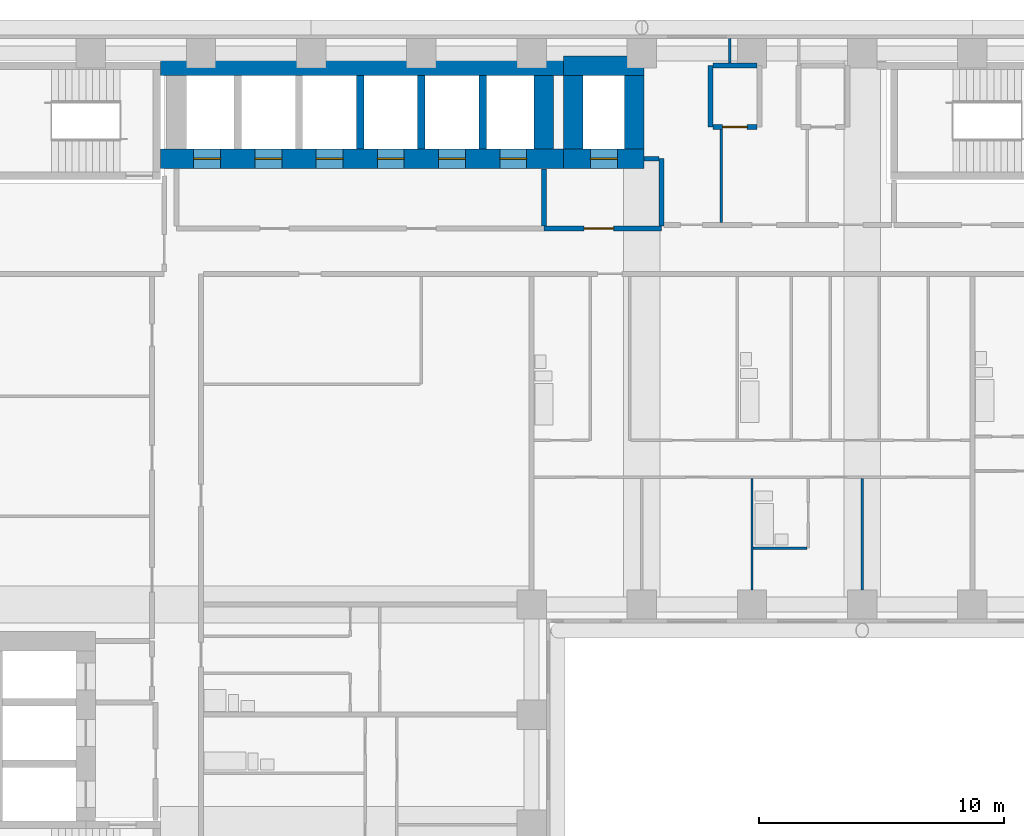
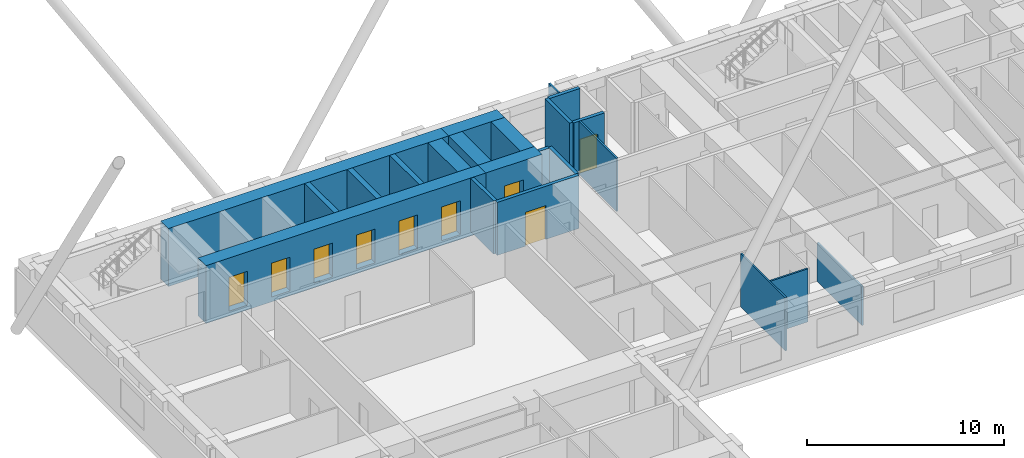
# One storey, part 6 of 13: 22 walls, 9 doors, 9 openings.
"""IFC4 building model written with IfcOpenShell, lengths in metres."""

from ifc_helpers import new_model, si_unit, direction, frame, frame_2d, origin, place, context, subcontext, project, spatial, rectangle, extrude, material, layer, layer_set, type_object, element, fill, save


model = new_model("IFC4")

# Units and contexts
model_context = context("Model", 3, precision=1e-05, world=origin(), true_north=direction((0.0, 1.0)))
body_context = subcontext(model_context, "Body", "Model", "MODEL_VIEW")
ifc_project = project(units=[si_unit("LENGTHUNIT", "METRE"), si_unit("AREAUNIT", "SQUARE_METRE"), si_unit("VOLUMEUNIT", "CUBIC_METRE"), si_unit("PLANEANGLEUNIT", "RADIAN"), si_unit("MASSUNIT", "GRAM", prefix="KILO")], contexts=[model_context])

# Site, building, storey
site_placement = place(None, origin())
site = spatial("IfcSite", under=ifc_project, at=site_placement, CompositionType="ELEMENT")
building_placement = place(site_placement, origin())
building = spatial("IfcBuilding", under=site, at=building_placement, Name="Firuza Court", CompositionType="ELEMENT")
storey_placement = place(building_placement, frame((0.0, 0.0, 50.60009765625)))
storey = spatial("IfcBuildingStorey", under=building, at=storey_placement, Name="L11", CompositionType="ELEMENT", Elevation=50.60009765625)

# Walls
ifc_material_1 = material(Name="Moisture-resistant gypsum board partition")
ifc_layer_1 = layer(ifc_material_1, 0.10009765625)
ifc_layer_set_1 = layer_set([ifc_layer_1], Name="Moisture-resistant gypsum board partition")
wall_type_1 = type_object("IfcWallType", Name="Bathroom partition 100", PredefinedType="PLUMBINGWALL", material=ifc_layer_set_1)
wall_1_placement = place(storey_placement, frame((31.550048828125, 38.300048828125, 0.0), z_axis=(0.0, 0.0, 1.0), x_axis=(1.0, 0.0, 0.0)))
element("IfcWall", 1, at=wall_1_placement, inside=storey, type_object=wall_type_1, Name="Bathroom partition 100 L11", PredefinedType="PLUMBINGWALL", context=body_context, shape_type="SweptSolid", body=[
    extrude(rectangle(XDim=2.199951171875, YDim=0.10009765625, at=frame_2d((1.10009765625, 0.0))), origin(), (0.0, 0.0, 1.0), 3.2998046875),
])
ifc_material_2 = material(Name="Concrete C60/75", Category="concrete")
ifc_layer_2 = layer(ifc_material_2, 0.300048828125)
ifc_layer_set_2 = layer_set([ifc_layer_2], Name="Concrete C60/75")
wall_type_2 = type_object("IfcWallType", Name="Core wall 300 C60/75", PredefinedType="SHEAR", material=ifc_layer_set_2)
for number, where, z_axis, x_axis, name in (
    (2, (15.5, 54.60009765625, -0.300048828125), (0.0, 0.0, 1.0), (0.0, 1.0, 0.0), "Core wall lift shaft L11"),
    (3, (18.0, 54.60009765625, -0.300048828125), (0.0, 0.0, 1.0), (0.0, 1.0, 0.0), "Core wall lift shaft L11"),
    (4, (20.5, 54.60009765625, -0.300048828125), (0.0, 0.0, 1.0), (0.0, 1.0, 0.0), "Core wall lift shaft L11"),
):
    element("IfcWall", number, at=place(storey_placement, frame(where, z_axis=z_axis, x_axis=x_axis)), inside=storey, type_object=wall_type_2, Name=name, PredefinedType="SHEAR", context=body_context, shape_type="SweptSolid", body=[
        extrude(rectangle(XDim=3.0, YDim=0.300048828125, at=frame_2d((1.5, 0.0))), origin(), (0.0, 0.0, 1.0), 3.599853515625),
    ])

# Wall, openings, doors
ifc_layer_3 = layer(ifc_material_2, 0.800048828125)
ifc_layer_set_3 = layer_set([ifc_layer_3], Name="Concrete C60/75")
wall_type_3 = type_object("IfcWallType", Name="Core wall 800 C60/75", PredefinedType="SHEAR", material=ifc_layer_set_3)
wall_2_placement = place(storey_placement, frame((7.35009765625, 54.199951171875, -0.300048828125), z_axis=(0.0, 0.0, 1.0), x_axis=(1.0, 0.0, 0.0)))
wall_2 = element("IfcWall", 5, at=wall_2_placement, inside=storey, type_object=wall_type_3, Name="Core wall lift shaft L11", PredefinedType="SHEAR", context=body_context, shape_type="SweptSolid", body=[
    extrude(rectangle(XDim=16.449951171875, YDim=0.800048828125, at=frame_2d((8.22509765625, 0.0))), origin(), (0.0, 0.0, 1.0), 3.599853515625),
])
opening_1_placement = place(wall_2_placement, frame((1.35009765625, 0.0, 0.300048828125)))
opening_1 = element("IfcOpeningElement", 6, at=opening_1_placement, cuts=wall_2, Name="Opening LD-LB1-11", PredefinedType="OPENING", context=body_context, shape_type="SweptSolid", body=[
    extrude(rectangle(XDim=1.10009765625, YDim=2.10009765625, at=frame_2d((0.550048828125, 1.050048828125))), frame((0.0, 0.412109375, 0.0), z_axis=(0.0, -1.0, 0.0), x_axis=(1.0, 0.0, 0.0)), (0.0, 0.0, 1.0), 0.823974609375),
])
opening_2_placement = place(wall_2_placement, frame((3.85009765625, 0.0, 0.300048828125)))
opening_2 = element("IfcOpeningElement", 7, at=opening_2_placement, cuts=wall_2, Name="Opening LD-LB2-11", PredefinedType="OPENING", context=body_context, shape_type="SweptSolid", body=[
    extrude(rectangle(XDim=1.10009765625, YDim=2.10009765625, at=frame_2d((0.550048828125, 1.050048828125))), frame((0.0, 0.412109375, 0.0), z_axis=(0.0, -1.0, 0.0), x_axis=(1.0, 0.0, 0.0)), (0.0, 0.0, 1.0), 0.823974609375),
])
opening_3_placement = place(wall_2_placement, frame((6.35009765625, 0.0, 0.300048828125)))
opening_3 = element("IfcOpeningElement", 8, at=opening_3_placement, cuts=wall_2, Name="Opening LD-LB3-11", PredefinedType="OPENING", context=body_context, shape_type="SweptSolid", body=[
    extrude(rectangle(XDim=1.10009765625, YDim=2.10009765625, at=frame_2d((0.550048828125, 1.050048828125))), frame((0.0, 0.412109375, 0.0), z_axis=(0.0, -1.0, 0.0), x_axis=(1.0, 0.0, 0.0)), (0.0, 0.0, 1.0), 0.823974609375),
])
opening_4_placement = place(wall_2_placement, frame((8.85009765625, 0.0, 0.300048828125)))
opening_4 = element("IfcOpeningElement", 9, at=opening_4_placement, cuts=wall_2, Name="Opening LD-LB4-11", PredefinedType="OPENING", context=body_context, shape_type="SweptSolid", body=[
    extrude(rectangle(XDim=1.10009765625, YDim=2.10009765625, at=frame_2d((0.550048828125, 1.050048828125))), frame((0.0, 0.412109375, 0.0), z_axis=(0.0, -1.0, 0.0), x_axis=(1.0, 0.0, 0.0)), (0.0, 0.0, 1.0), 0.823974609375),
])
opening_5_placement = place(wall_2_placement, frame((11.35009765625, 0.0, 0.300048828125)))
opening_5 = element("IfcOpeningElement", 10, at=opening_5_placement, cuts=wall_2, Name="Opening LD-LB5-11", PredefinedType="OPENING", context=body_context, shape_type="SweptSolid", body=[
    extrude(rectangle(XDim=1.10009765625, YDim=2.10009765625, at=frame_2d((0.550048828125, 1.050048828125))), frame((0.0, 0.412109375, 0.0), z_axis=(0.0, -1.0, 0.0), x_axis=(1.0, 0.0, 0.0)), (0.0, 0.0, 1.0), 0.823974609375),
])
opening_6_placement = place(wall_2_placement, frame((13.85009765625, 0.0, 0.300048828125)))
opening_6 = element("IfcOpeningElement", 11, at=opening_6_placement, cuts=wall_2, Name="Opening LD-LB6-11", PredefinedType="OPENING", context=body_context, shape_type="SweptSolid", body=[
    extrude(rectangle(XDim=1.10009765625, YDim=2.10009765625, at=frame_2d((0.550048828125, 1.050048828125))), frame((0.0, 0.412109375, 0.0), z_axis=(0.0, -1.0, 0.0), x_axis=(1.0, 0.0, 0.0)), (0.0, 0.0, 1.0), 0.823974609375),
])
ifc_material_3 = material(Name="Stainless steel 1.4301 door leaf", Category="steel")
door_type_1 = type_object("IfcDoorType", Name="Lift landing door 1100", OperationType="SLIDING_TO_LEFT", PredefinedType="DOOR", material=ifc_material_3)
door_1_placement = place(opening_1_placement, origin())
door_1 = element("IfcDoor", 12, at=door_1_placement, inside=storey, type_object=door_type_1, Name="Landing door LB1", OperationType="SLIDING_TO_LEFT", OverallHeight=2.10009765625, OverallWidth=1.10009765625, PredefinedType="DOOR", context=body_context, shape_type="SweptSolid", body=[
    extrude(rectangle(XDim=1.10009765625, YDim=2.10009765625, at=frame_2d((0.550048828125, 1.050048828125))), frame((0.0, 0.02490234375, 0.0), z_axis=(0.0, -1.0, 0.0), x_axis=(1.0, 0.0, 0.0)), (0.0, 0.0, 1.0), 0.050048828125),
])
fill(opening_1, door_1)
door_2_placement = place(opening_2_placement, origin())
door_2 = element("IfcDoor", 13, at=door_2_placement, inside=storey, type_object=door_type_1, Name="Landing door LB2", OperationType="SLIDING_TO_LEFT", OverallHeight=2.10009765625, OverallWidth=1.10009765625, PredefinedType="DOOR", context=body_context, shape_type="SweptSolid", body=[
    extrude(rectangle(XDim=1.10009765625, YDim=2.10009765625, at=frame_2d((0.550048828125, 1.050048828125))), frame((0.0, 0.02490234375, 0.0), z_axis=(0.0, -1.0, 0.0), x_axis=(1.0, 0.0, 0.0)), (0.0, 0.0, 1.0), 0.050048828125),
])
fill(opening_2, door_2)
door_3_placement = place(opening_3_placement, origin())
door_3 = element("IfcDoor", 14, at=door_3_placement, inside=storey, type_object=door_type_1, Name="Landing door LB3", OperationType="SLIDING_TO_LEFT", OverallHeight=2.10009765625, OverallWidth=1.10009765625, PredefinedType="DOOR", context=body_context, shape_type="SweptSolid", body=[
    extrude(rectangle(XDim=1.10009765625, YDim=2.10009765625, at=frame_2d((0.550048828125, 1.050048828125))), frame((0.0, 0.02490234375, 0.0), z_axis=(0.0, -1.0, 0.0), x_axis=(1.0, 0.0, 0.0)), (0.0, 0.0, 1.0), 0.050048828125),
])
fill(opening_3, door_3)
door_4_placement = place(opening_4_placement, origin())
door_4 = element("IfcDoor", 15, at=door_4_placement, inside=storey, type_object=door_type_1, Name="Landing door LB4", OperationType="SLIDING_TO_LEFT", OverallHeight=2.10009765625, OverallWidth=1.10009765625, PredefinedType="DOOR", context=body_context, shape_type="SweptSolid", body=[
    extrude(rectangle(XDim=1.10009765625, YDim=2.10009765625, at=frame_2d((0.550048828125, 1.050048828125))), frame((0.0, 0.02490234375, 0.0), z_axis=(0.0, -1.0, 0.0), x_axis=(1.0, 0.0, 0.0)), (0.0, 0.0, 1.0), 0.050048828125),
])
fill(opening_4, door_4)
door_5_placement = place(opening_5_placement, origin())
door_5 = element("IfcDoor", 16, at=door_5_placement, inside=storey, type_object=door_type_1, Name="Landing door LB5", OperationType="SLIDING_TO_LEFT", OverallHeight=2.10009765625, OverallWidth=1.10009765625, PredefinedType="DOOR", context=body_context, shape_type="SweptSolid", body=[
    extrude(rectangle(XDim=1.10009765625, YDim=2.10009765625, at=frame_2d((0.550048828125, 1.050048828125))), frame((0.0, 0.02490234375, 0.0), z_axis=(0.0, -1.0, 0.0), x_axis=(1.0, 0.0, 0.0)), (0.0, 0.0, 1.0), 0.050048828125),
])
fill(opening_5, door_5)
door_6_placement = place(opening_6_placement, origin())
door_6 = element("IfcDoor", 17, at=door_6_placement, inside=storey, type_object=door_type_1, Name="Landing door LB6", OperationType="SLIDING_TO_LEFT", OverallHeight=2.10009765625, OverallWidth=1.10009765625, PredefinedType="DOOR", context=body_context, shape_type="SweptSolid", body=[
    extrude(rectangle(XDim=1.10009765625, YDim=2.10009765625, at=frame_2d((0.550048828125, 1.050048828125))), frame((0.0, 0.02490234375, 0.0), z_axis=(0.0, -1.0, 0.0), x_axis=(1.0, 0.0, 0.0)), (0.0, 0.0, 1.0), 0.050048828125),
])
fill(opening_6, door_6)

# Walls
wall_3_placement = place(storey_placement, frame((7.35009765625, 58.0, -0.300048828125), z_axis=(0.0, 0.0, 1.0), x_axis=(1.0, 0.0, 0.0)))
element("IfcWall", 18, at=wall_3_placement, inside=storey, type_object=wall_type_3, Name="Core wall lift shaft L11", PredefinedType="SHEAR", context=body_context, shape_type="SweptSolid", body=[
    extrude(rectangle(XDim=16.449951171875, YDim=0.800048828125, at=frame_2d((8.22509765625, 0.0))), origin(), (0.0, 0.0, 1.0), 3.599853515625),
])
wall_4_placement = place(storey_placement, frame((23.0, 54.60009765625, -0.300048828125), z_axis=(0.0, 0.0, 1.0), x_axis=(0.0, 1.0, 0.0)))
element("IfcWall", 19, at=wall_4_placement, inside=storey, type_object=wall_type_3, Name="Core wall lift shaft L11", PredefinedType="SHEAR", context=body_context, shape_type="SweptSolid", body=[
    extrude(rectangle(XDim=3.0, YDim=0.800048828125, at=frame_2d((1.5, 0.0))), origin(), (0.0, 0.0, 1.0), 3.599853515625),
])

# Wall, opening, door
wall_5_placement = place(storey_placement, frame((23.800048828125, 54.199951171875, -0.300048828125), z_axis=(0.0, 0.0, 1.0), x_axis=(1.0, 0.0, 0.0)))
wall_5 = element("IfcWall", 20, at=wall_5_placement, inside=storey, type_object=wall_type_3, Name="Core wall lift shaft L11", PredefinedType="SHEAR", context=body_context, shape_type="SweptSolid", body=[
    extrude(rectangle(XDim=3.300048828125, YDim=0.800048828125, at=frame_2d((1.64990234375, 0.0))), origin(), (0.0, 0.0, 1.0), 3.599853515625),
])
opening_7_placement = place(wall_5_placement, frame((1.10009765625, 0.0, 0.300048828125)))
opening_7 = element("IfcOpeningElement", 21, at=opening_7_placement, cuts=wall_5, Name="Opening LD-FL3-11", PredefinedType="OPENING", context=body_context, shape_type="SweptSolid", body=[
    extrude(rectangle(XDim=1.10009765625, YDim=2.10009765625, at=frame_2d((0.550048828125, 1.050048828125))), frame((0.0, 0.412109375, 0.0), z_axis=(0.0, -1.0, 0.0), x_axis=(1.0, 0.0, 0.0)), (0.0, 0.0, 1.0), 0.823974609375),
])
door_7_placement = place(opening_7_placement, origin())
door_7 = element("IfcDoor", 22, at=door_7_placement, inside=storey, type_object=door_type_1, Name="Landing door FL3", OperationType="SLIDING_TO_LEFT", OverallHeight=2.10009765625, OverallWidth=1.10009765625, PredefinedType="DOOR", context=body_context, shape_type="SweptSolid", body=[
    extrude(rectangle(XDim=1.10009765625, YDim=2.10009765625, at=frame_2d((0.550048828125, 1.050048828125))), frame((0.0, 0.02490234375, 0.0), z_axis=(0.0, -1.0, 0.0), x_axis=(1.0, 0.0, 0.0)), (0.0, 0.0, 1.0), 0.050048828125),
])
fill(opening_7, door_7)

# Walls
wall_6_placement = place(storey_placement, frame((23.800048828125, 58.0, -0.300048828125), z_axis=(0.0, 0.0, 1.0), x_axis=(1.0, 0.0, 0.0)))
element("IfcWall", 23, at=wall_6_placement, inside=storey, type_object=wall_type_3, Name="Core wall lift shaft L11", PredefinedType="SHEAR", context=body_context, shape_type="SweptSolid", body=[
    extrude(rectangle(XDim=3.300048828125, YDim=0.800048828125, at=frame_2d((1.64990234375, 0.0))), origin(), (0.0, 0.0, 1.0), 3.599853515625),
])
for number, where, z_axis, x_axis, name in (
    (24, (24.199951171875, 54.60009765625, -0.300048828125), (0.0, 0.0, 1.0), (0.0, 1.0, 0.0), "Core wall lift shaft L11"),
    (25, (26.699951171875, 54.60009765625, -0.300048828125), (0.0, 0.0, 1.0), (0.0, 1.0, 0.0), "Core wall lift shaft L11"),
):
    element("IfcWall", number, at=place(storey_placement, frame(where, z_axis=z_axis, x_axis=x_axis)), inside=storey, type_object=wall_type_3, Name=name, PredefinedType="SHEAR", context=body_context, shape_type="SweptSolid", body=[
        extrude(rectangle(XDim=3.0, YDim=0.800048828125, at=frame_2d((1.5, 0.0))), origin(), (0.0, 0.0, 1.0), 3.599853515625),
    ])
ifc_material_4 = material(Name="Timber stud partition, plasterboard both sides", Category="wood")
ifc_layer_4 = layer(ifc_material_4, 0.10009765625)
ifc_layer_set_4 = layer_set([ifc_layer_4], Name="Timber stud partition, plasterboard both sides")
wall_type_4 = type_object("IfcWallType", Name="Partition wall 100", PredefinedType="PARTITIONING", material=ifc_layer_set_4)
wall_7_placement = place(storey_placement, frame((31.5, 36.60009765625, 0.0), z_axis=(0.0, 0.0, 1.0), x_axis=(0.0, 1.0, 0.0)))
element("IfcWall", 26, at=wall_7_placement, inside=storey, type_object=wall_type_4, Name="Partition wall 100 L11", PredefinedType="PARTITIONING", context=body_context, shape_type="SweptSolid", body=[
    extrude(rectangle(XDim=4.5498046875, YDim=0.10009765625, at=frame_2d((2.27490234375, 0.0))), origin(), (0.0, 0.0, 1.0), 3.2998046875),
])
wall_8_placement = place(storey_placement, frame((36.0, 36.60009765625, 0.0), z_axis=(0.0, 0.0, 1.0), x_axis=(0.0, 1.0, 0.0)))
element("IfcWall", 27, at=wall_8_placement, inside=storey, type_object=wall_type_4, Name="Partition wall 100 L11", PredefinedType="PARTITIONING", context=body_context, shape_type="SweptSolid", body=[
    extrude(rectangle(XDim=4.5498046875, YDim=0.10009765625, at=frame_2d((2.27490234375, 0.0))), origin(), (0.0, 0.0, 1.0), 2.39990234375),
])
wall_9_placement = place(storey_placement, frame((30.25, 51.60009765625, 0.0), z_axis=(0.0, 0.0, 1.0), x_axis=(0.0, 1.0, 0.0)))
element("IfcWall", 28, at=wall_9_placement, inside=storey, type_object=wall_type_4, Name="Partition wall 100 L11", PredefinedType="PARTITIONING", context=body_context, shape_type="SweptSolid", body=[
    extrude(rectangle(XDim=3.7998046875, YDim=0.10009765625, at=frame_2d((1.89990234375, 0.0))), origin(), (0.0, 0.0, 1.0), 3.2998046875),
])
wall_10_placement = place(storey_placement, frame((30.60009765625, 58.10009765625, 0.0), z_axis=(0.0, 0.0, 1.0), x_axis=(0.0, 1.0, 0.0)))
element("IfcWall", 29, at=wall_10_placement, inside=storey, type_object=wall_type_4, Name="Partition wall 100 L11", PredefinedType="PARTITIONING", context=body_context, shape_type="SweptSolid", body=[
    extrude(rectangle(XDim=1.0, YDim=0.10009765625, at=frame_2d((0.5, 0.0))), origin(), (0.0, 0.0, 1.0), 3.2998046875),
])
ifc_material_5 = material(Name="Blockwork, fire-rated", Category="masonry")
ifc_layer_5 = layer(ifc_material_5, 0.199951171875)
ifc_layer_set_5 = layer_set([ifc_layer_5], Name="Blockwork, fire-rated")
wall_type_5 = type_object("IfcWallType", Name="Plant room wall 200", PredefinedType="PARTITIONING", material=ifc_layer_set_5)
wall_11_placement = place(storey_placement, frame((29.800048828125, 55.5, 0.0), z_axis=(0.0, 0.0, 1.0), x_axis=(0.0, 1.0, 0.0)))
element("IfcWall", 30, at=wall_11_placement, inside=storey, type_object=wall_type_5, Name="Plant room wall 200 L11", PredefinedType="PARTITIONING", context=body_context, shape_type="SweptSolid", body=[
    extrude(rectangle(XDim=2.5, YDim=0.199951171875, at=frame_2d((1.25, 0.0))), origin(), (0.0, 0.0, 1.0), 3.2998046875),
])

# Wall, opening, door
wall_12_placement = place(storey_placement, frame((29.89990234375, 55.5, 0.0), z_axis=(0.0, 0.0, 1.0), x_axis=(1.0, 0.0, 0.0)))
wall_12 = element("IfcWall", 31, at=wall_12_placement, inside=storey, type_object=wall_type_5, Name="Plant room wall 200 L11", PredefinedType="PARTITIONING", context=body_context, shape_type="SweptSolid", body=[
    extrude(rectangle(XDim=1.800048828125, YDim=0.199951171875, at=frame_2d((0.89990234375, 0.0))), origin(), (0.0, 0.0, 1.0), 3.2998046875),
])
opening_8_placement = place(wall_12_placement, frame((0.39990234375, 0.0, 0.0)))
opening_8 = element("IfcOpeningElement", 32, at=opening_8_placement, cuts=wall_12, Name="Opening D11080", PredefinedType="OPENING", context=body_context, shape_type="SweptSolid", body=[
    extrude(rectangle(XDim=1.0, YDim=2.10009765625, at=frame_2d((0.5, 1.050048828125))), frame((0.0, 0.11181640625, 0.0), z_axis=(0.0, -1.0, 0.0), x_axis=(1.0, 0.0, 0.0)), (0.0, 0.0, 1.0), 0.223876953125),
])
ifc_material_6 = material(Name="Timber door leaf in hardwood frame", Category="wood")
door_type_2 = type_object("IfcDoorType", Name="Riser door 1000", OperationType="SINGLE_SWING_LEFT", PredefinedType="DOOR", material=ifc_material_6)
door_8_placement = place(opening_8_placement, origin())
door_8 = element("IfcDoor", 33, at=door_8_placement, inside=storey, type_object=door_type_2, Name="Electrical riser door", OperationType="SINGLE_SWING_LEFT", OverallHeight=2.10009765625, OverallWidth=1.0, PredefinedType="DOOR", context=body_context, shape_type="SweptSolid", body=[
    extrude(rectangle(XDim=1.0, YDim=2.10009765625, at=frame_2d((0.5, 1.050048828125))), frame((0.0, 0.02490234375, 0.0), z_axis=(0.0, -1.0, 0.0), x_axis=(1.0, 0.0, 0.0)), (0.0, 0.0, 1.0), 0.050048828125),
])
fill(opening_8, door_8)

# Walls
wall_13_placement = place(storey_placement, frame((29.89990234375, 58.0, 0.0), z_axis=(0.0, 0.0, 1.0), x_axis=(1.0, 0.0, 0.0)))
element("IfcWall", 34, at=wall_13_placement, inside=storey, type_object=wall_type_5, Name="Plant room wall 200 L11", PredefinedType="PARTITIONING", context=body_context, shape_type="SweptSolid", body=[
    extrude(rectangle(XDim=1.800048828125, YDim=0.199951171875, at=frame_2d((0.89990234375, 0.0))), origin(), (0.0, 0.0, 1.0), 3.2998046875),
])
ifc_layer_6 = layer(ifc_material_5, 0.199951171875)
ifc_layer_set_6 = layer_set([ifc_layer_6], Name="Blockwork, fire-rated")
wall_type_6 = type_object("IfcWallType", Name="Shaft wall 200", PredefinedType="PARTITIONING", material=ifc_layer_set_6)
wall_14_placement = place(storey_placement, frame((23.0, 51.449951171875, 0.0), z_axis=(0.0, 0.0, 1.0), x_axis=(0.0, 1.0, 0.0)))
element("IfcWall", 35, at=wall_14_placement, inside=storey, type_object=wall_type_6, Name="Shaft wall 200 L11", PredefinedType="PARTITIONING", context=body_context, shape_type="SweptSolid", body=[
    extrude(rectangle(XDim=2.330078125, YDim=0.199951171875, at=frame_2d((1.1650390625, 0.0))), origin(), (0.0, 0.0, 1.0), 3.2998046875),
])

# Wall, opening, door
wall_15_placement = place(storey_placement, frame((23.0, 51.35009765625, 0.0), z_axis=(0.0, 0.0, 1.0), x_axis=(1.0, 0.0, 0.0)))
wall_15 = element("IfcWall", 36, at=wall_15_placement, inside=storey, type_object=wall_type_6, Name="Shaft wall 200 L11", PredefinedType="PARTITIONING", context=body_context, shape_type="SweptSolid", body=[
    extrude(rectangle(XDim=4.800048828125, YDim=0.199951171875, at=frame_2d((2.39990234375, 0.0))), origin(), (0.0, 0.0, 1.0), 3.2998046875),
])
opening_9_placement = place(wall_15_placement, frame((1.64990234375, 0.0, 0.0)))
opening_9 = element("IfcOpeningElement", 37, at=opening_9_placement, cuts=wall_15, Name="Opening D11003", PredefinedType="OPENING", context=body_context, shape_type="SweptSolid", body=[
    extrude(rectangle(XDim=1.199951171875, YDim=2.10009765625, at=frame_2d((0.60009765625, 1.050048828125))), frame((0.0, 0.11181640625, 0.0), z_axis=(0.0, -1.0, 0.0), x_axis=(1.0, 0.0, 0.0)), (0.0, 0.0, 1.0), 0.223876953125),
])
ifc_material_7 = material(Name="Timber door leaf in hardwood frame", Category="wood")
door_type_3 = type_object("IfcDoorType", Name="Lobby door 1200", OperationType="SINGLE_SWING_LEFT", PredefinedType="DOOR", material=ifc_material_7)
door_9_placement = place(opening_9_placement, origin())
door_9 = element("IfcDoor", 38, at=door_9_placement, inside=storey, type_object=door_type_3, Name="Fire-fighting lobby door", OperationType="SINGLE_SWING_LEFT", OverallHeight=2.10009765625, OverallWidth=1.199951171875, PredefinedType="DOOR", context=body_context, shape_type="SweptSolid", body=[
    extrude(rectangle(XDim=1.199951171875, YDim=2.10009765625, at=frame_2d((0.60009765625, 1.050048828125))), frame((0.0, 0.02490234375, 0.0), z_axis=(0.0, -1.0, 0.0), x_axis=(1.0, 0.0, 0.0)), (0.0, 0.0, 1.0), 0.050048828125),
])
fill(opening_9, door_9)

# Walls
wall_16_placement = place(storey_placement, frame((27.800048828125, 51.449951171875, 0.0), z_axis=(0.0, 0.0, 1.0), x_axis=(0.0, 1.0, 0.0)))
element("IfcWall", 39, at=wall_16_placement, inside=storey, type_object=wall_type_6, Name="Shaft wall 200 L11", PredefinedType="PARTITIONING", context=body_context, shape_type="SweptSolid", body=[
    extrude(rectangle(XDim=2.75, YDim=0.199951171875, at=frame_2d((1.375, 0.0))), origin(), (0.0, 0.0, 1.0), 3.2998046875),
])
wall_17_placement = place(storey_placement, frame((27.10009765625, 54.199951171875, 0.0), z_axis=(0.0, 0.0, 1.0), x_axis=(1.0, 0.0, 0.0)))
element("IfcWall", 40, at=wall_17_placement, inside=storey, type_object=wall_type_6, Name="Shaft wall 200 L11", PredefinedType="PARTITIONING", context=body_context, shape_type="SweptSolid", body=[
    extrude(rectangle(XDim=0.599853515625, YDim=0.199951171875, at=frame_2d((0.2998046875, 0.0))), origin(), (0.0, 0.0, 1.0), 3.2998046875),
])

save(model, "model.ifc")
